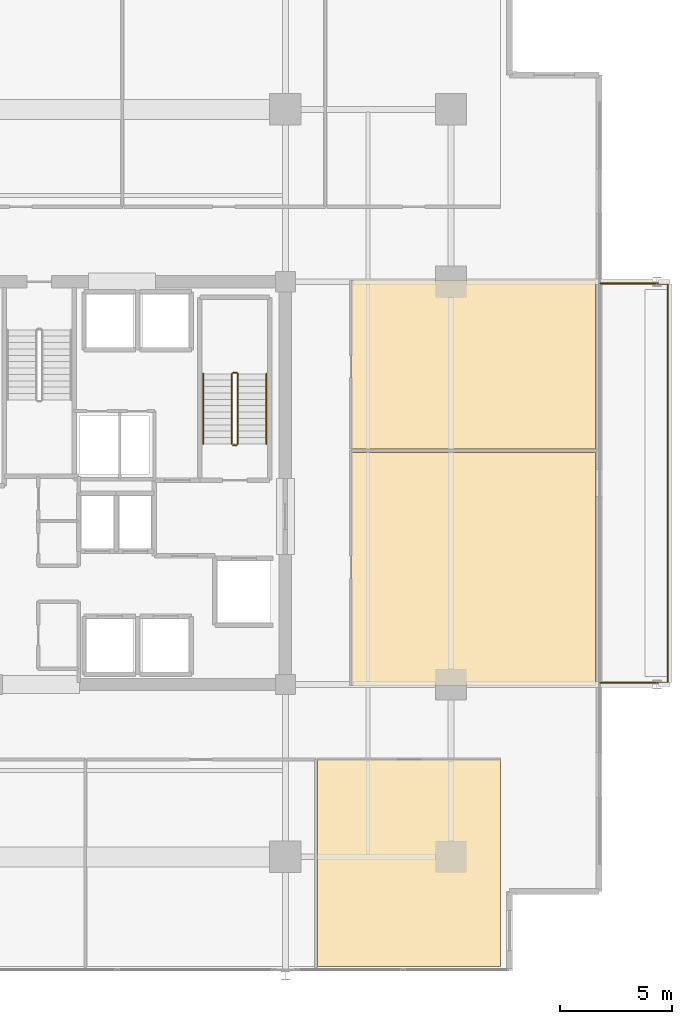
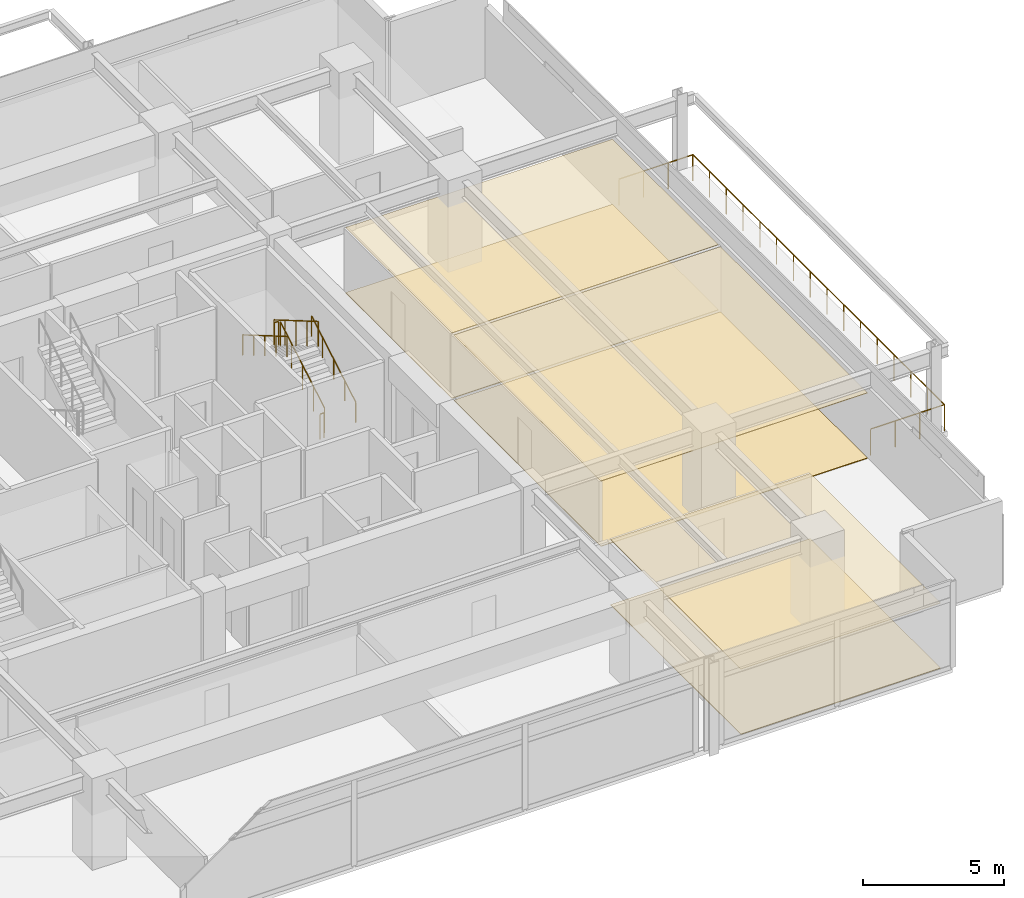
# One storey, part 20 of 21: 7 railings, 6 coverings.
"""IFC4 building model written with IfcOpenShell, lengths in metres."""

from ifc_helpers import new_model, si_unit, direction, frame, origin, origin_2d, place, context, subcontext, project, spatial, polyline, circle, outline, extrude, material, layer, layer_set, type_object, element, save


model = new_model("IFC4")

# Units and contexts
model_context = context("Model", 3, precision=1e-05, world=origin(), true_north=direction((0.0, 1.0)))
body_context = subcontext(model_context, "Body", "Model", "MODEL_VIEW")
ifc_project = project(units=[si_unit("LENGTHUNIT", "METRE"), si_unit("AREAUNIT", "SQUARE_METRE"), si_unit("VOLUMEUNIT", "CUBIC_METRE"), si_unit("PLANEANGLEUNIT", "RADIAN"), si_unit("MASSUNIT", "GRAM", prefix="KILO")], contexts=[model_context])

# Site, building, storey
site_placement = place(None, origin())
site = spatial("IfcSite", under=ifc_project, at=site_placement, CompositionType="ELEMENT")
building_placement = place(site_placement, origin())
building = spatial("IfcBuilding", under=site, at=building_placement, Name="Kovane Verandah Tower", CompositionType="ELEMENT")
storey_placement = place(building_placement, frame((0.0, 0.0, 209.199951171875)))
storey = spatial("IfcBuildingStorey", under=building, at=storey_placement, Name="L48", CompositionType="ELEMENT", Elevation=209.199951171875)

# Coverings
ifc_material_1 = material(Name="Perforated Acoustic Mineral-Fibre Ceiling Tile", Category="gypsum")
ifc_layer_1 = layer(ifc_material_1, 0.02490234375)
ifc_layer_set_1 = layer_set([ifc_layer_1], Name="Perforated Acoustic Mineral-Fibre Ceiling Tile")
covering_type_1 = type_object("IfcCoveringType", Name="CV-CEIL-25", PredefinedType="CEILING", material=ifc_layer_set_1)
covering_1_placement = place(storey_placement, frame((0.0, 0.0, 2.824951171875)))
element("IfcCovering", 1, at=covering_1_placement, inside=storey, type_object=covering_type_1, Name="L48 Executive Office S4 Acoustic Ceiling", PredefinedType="CEILING", context=body_context, shape_type="SweptSolid", body=[
    extrude(outline(polyline([(52.440673828125, 5.908447265625), (60.617919921875, 5.908447265625), (60.617919921875, 15.14990234375), (52.440673828125, 15.14990234375), (52.440673828125, 5.908447265625)])), origin(), (0.0, 0.0, 1.0), 0.025146484375),
])
covering_2_placement = place(storey_placement, frame((0.0, 0.0, 2.824951171875)))
element("IfcCovering", 2, at=covering_2_placement, inside=storey, type_object=covering_type_1, Name="L48 Focus Studio E1 Acoustic Ceiling", PredefinedType="CEILING", context=body_context, shape_type="SweptSolid", body=[
    extrude(outline(polyline([(53.949951171875, 18.449951171875), (64.867919921875, 18.449951171875), (64.867919921875, 28.8779296875), (53.949951171875, 28.8779296875), (53.949951171875, 18.449951171875)])), origin(), (0.0, 0.0, 1.0), 0.025146484375),
])
covering_3_placement = place(storey_placement, frame((0.0, 0.0, 2.824951171875)))
element("IfcCovering", 3, at=covering_3_placement, inside=storey, type_object=covering_type_1, Name="L48 Breakout Pantry E2 Acoustic Ceiling", PredefinedType="CEILING", context=body_context, shape_type="SweptSolid", body=[
    extrude(outline(polyline([(53.949951171875, 29.01806640625), (64.867919921875, 29.01806640625), (64.867919921875, 36.550048828125), (53.949951171875, 36.550048828125), (53.949951171875, 29.01806640625)])), origin(), (0.0, 0.0, 1.0), 0.025146484375),
])
ifc_material_2 = material(Name="Polished Terrazzo and Raised-Access Carpet Tile Finish", Category="concrete")
ifc_layer_2 = layer(ifc_material_2, 0.030029296875)
ifc_layer_set_2 = layer_set([ifc_layer_2], Name="Polished Terrazzo and Raised-Access Carpet Tile Finish")
covering_type_2 = type_object("IfcCoveringType", Name="CV-FLOR-30", PredefinedType="FLOORING", material=ifc_layer_set_2)
covering_4_placement = place(storey_placement, origin())
element("IfcCovering", 4, at=covering_4_placement, inside=storey, type_object=covering_type_2, Name="L48 Executive Office S4 Floor Finish", PredefinedType="FLOORING", context=body_context, shape_type="SweptSolid", body=[
    extrude(outline(polyline([(52.440673828125, 5.908447265625), (60.617919921875, 5.908447265625), (60.617919921875, 15.14990234375), (52.440673828125, 15.14990234375), (52.440673828125, 5.908447265625)])), origin(), (0.0, 0.0, 1.0), 0.030029296875),
])
covering_5_placement = place(storey_placement, origin())
element("IfcCovering", 5, at=covering_5_placement, inside=storey, type_object=covering_type_2, Name="L48 Focus Studio E1 Floor Finish", PredefinedType="FLOORING", context=body_context, shape_type="SweptSolid", body=[
    extrude(outline(polyline([(53.949951171875, 18.449951171875), (64.867919921875, 18.449951171875), (64.867919921875, 28.8779296875), (53.949951171875, 28.8779296875), (53.949951171875, 18.449951171875)])), origin(), (0.0, 0.0, 1.0), 0.030029296875),
])
covering_6_placement = place(storey_placement, origin())
element("IfcCovering", 6, at=covering_6_placement, inside=storey, type_object=covering_type_2, Name="L48 Breakout Pantry E2 Floor Finish", PredefinedType="FLOORING", context=body_context, shape_type="SweptSolid", body=[
    extrude(outline(polyline([(53.949951171875, 29.01806640625), (64.867919921875, 29.01806640625), (64.867919921875, 36.550048828125), (53.949951171875, 36.550048828125), (53.949951171875, 29.01806640625)])), origin(), (0.0, 0.0, 1.0), 0.030029296875),
])

# Railings
ifc_material_3 = material(Name="Laminated Glass and Pale-Champagne Stainless Balustrade", Category="glass")
railing_type_1 = type_object("IfcRailingType", Name="RL-BAL-1150", PredefinedType="BALUSTRADE", material=ifc_material_3)
railing_1_placement = place(storey_placement, frame((65.06787109375, 18.580078125, 0.0)))
element("IfcRailing", 7, at=railing_1_placement, inside=storey, type_object=railing_type_1, Name="L48 E Verandah Glass Balustrade", PredefinedType="BALUSTRADE", context=body_context, shape_type="SweptSolid", body=[
    extrude(circle(Radius=0.02392578125, at=origin_2d()), frame((0.0, 0.0, 1.1259765625), z_axis=(1.0, 0.0, 0.0), x_axis=(0.0, 1.0, 0.0)), (0.0, 0.0, 1.0), 3.02001953125),
    extrude(circle(Radius=0.02392578125, at=origin_2d()), frame((3.02001953125, 0.0, 1.1259765625), z_axis=(0.0, 1.0, 0.0), x_axis=(-1.0, 0.0, 0.0)), (0.0, 0.0, 1.0), 17.83984375),
    extrude(circle(Radius=0.02392578125, at=origin_2d()), frame((3.02001953125, 17.83984375, 1.1259765625), z_axis=(-1.0, 0.0, 0.0), x_axis=(0.0, -1.0, 0.0)), (0.0, 0.0, 1.0), 3.02001953125),
    extrude(circle(Radius=0.02099609375, at=origin_2d()), origin(), (0.0, 0.0, 1.0), 1.101806640625),
    extrude(circle(Radius=0.02099609375, at=origin_2d()), frame((1.006591796875, 0.0, 0.0)), (0.0, 0.0, 1.0), 1.101806640625),
    extrude(circle(Radius=0.02099609375, at=origin_2d()), frame((2.013427734375, 0.0, 0.0)), (0.0, 0.0, 1.0), 1.101806640625),
    extrude(circle(Radius=0.02099609375, at=origin_2d()), frame((3.02001953125, 0.0, 0.0)), (0.0, 0.0, 1.0), 1.101806640625),
    extrude(circle(Radius=0.02099609375, at=origin_2d()), frame((3.02001953125, 1.189208984375, 0.0)), (0.0, 0.0, 1.0), 1.101806640625),
    extrude(circle(Radius=0.02099609375, at=origin_2d()), frame((3.02001953125, 2.378662109375, 0.0)), (0.0, 0.0, 1.0), 1.101806640625),
    extrude(circle(Radius=0.02099609375, at=origin_2d()), frame((3.02001953125, 3.56787109375, 0.0)), (0.0, 0.0, 1.0), 1.101806640625),
    extrude(circle(Radius=0.02099609375, at=origin_2d()), frame((3.02001953125, 4.75732421875, 0.0)), (0.0, 0.0, 1.0), 1.101806640625),
    extrude(circle(Radius=0.02099609375, at=origin_2d()), frame((3.02001953125, 5.946533203125, 0.0)), (0.0, 0.0, 1.0), 1.101806640625),
    extrude(circle(Radius=0.02099609375, at=origin_2d()), frame((3.02001953125, 7.135986328125, 0.0)), (0.0, 0.0, 1.0), 1.101806640625),
    extrude(circle(Radius=0.02099609375, at=origin_2d()), frame((3.02001953125, 8.3251953125, 0.0)), (0.0, 0.0, 1.0), 1.101806640625),
    extrude(circle(Radius=0.02099609375, at=origin_2d()), frame((3.02001953125, 9.5146484375, 0.0)), (0.0, 0.0, 1.0), 1.101806640625),
    extrude(circle(Radius=0.02099609375, at=origin_2d()), frame((3.02001953125, 10.703857421875, 0.0)), (0.0, 0.0, 1.0), 1.101806640625),
    extrude(circle(Radius=0.02099609375, at=origin_2d()), frame((3.02001953125, 11.893310546875, 0.0)), (0.0, 0.0, 1.0), 1.101806640625),
    extrude(circle(Radius=0.02099609375, at=origin_2d()), frame((3.02001953125, 13.08251953125, 0.0)), (0.0, 0.0, 1.0), 1.101806640625),
    extrude(circle(Radius=0.02099609375, at=origin_2d()), frame((3.02001953125, 14.27197265625, 0.0)), (0.0, 0.0, 1.0), 1.101806640625),
    extrude(circle(Radius=0.02099609375, at=origin_2d()), frame((3.02001953125, 15.461181640625, 0.0)), (0.0, 0.0, 1.0), 1.101806640625),
    extrude(circle(Radius=0.02099609375, at=origin_2d()), frame((3.02001953125, 16.650634765625, 0.0)), (0.0, 0.0, 1.0), 1.101806640625),
    extrude(circle(Radius=0.02099609375, at=origin_2d()), frame((3.02001953125, 17.83984375, 0.0)), (0.0, 0.0, 1.0), 1.101806640625),
    extrude(circle(Radius=0.02099609375, at=origin_2d()), frame((2.013427734375, 17.83984375, 0.0)), (0.0, 0.0, 1.0), 1.101806640625),
    extrude(circle(Radius=0.02099609375, at=origin_2d()), frame((1.006591796875, 17.83984375, 0.0)), (0.0, 0.0, 1.0), 1.101806640625),
    extrude(circle(Radius=0.02099609375, at=origin_2d()), frame((0.0, 17.83984375, 0.0)), (0.0, 0.0, 1.0), 1.101806640625),
])
ifc_material_4 = material(Name="Brushed Stainless Steel Handrail", Category="steel")
railing_type_2 = type_object("IfcRailingType", Name="RL-HAND-920", PredefinedType="HANDRAIL", material=ifc_material_4)
railing_2_placement = place(storey_placement, frame((50.14990234375, 29.25, 0.166748046875)))
element("IfcRailing", 8, at=railing_2_placement, inside=storey, type_object=railing_type_2, Name="L48 ST-02 stair handrail 1", PredefinedType="HANDRAIL", context=body_context, shape_type="SweptSolid", body=[
    extrude(circle(Radius=0.02392578125, at=origin_2d()), frame((0.0, 0.0, 0.8759765625), z_axis=(0.0, 0.863239559939, 0.504794475164), x_axis=(-1.0, 0.0, 0.0)), (0.0, 0.0, 1.0), 3.631591796875),
    extrude(circle(Radius=0.02099609375, at=origin_2d()), origin(), (0.0, 0.0, 1.0), 0.851806640625),
    extrude(circle(Radius=0.02099609375, at=origin_2d()), frame((0.0, 0.78369140625, 0.458251953125)), (0.0, 0.0, 1.0), 0.851806640625),
    extrude(circle(Radius=0.02099609375, at=origin_2d()), frame((0.0, 1.5673828125, 0.91650390625)), (0.0, 0.0, 1.0), 0.851806640625),
    extrude(circle(Radius=0.02099609375, at=origin_2d()), frame((0.0, 2.351318359375, 1.375)), (0.0, 0.0, 1.0), 0.851806640625),
    extrude(circle(Radius=0.02099609375, at=origin_2d()), frame((0.0, 3.135009765625, 1.833251953125)), (0.0, 0.0, 1.0), 0.851806640625),
])
railing_3_placement = place(storey_placement, frame((47.330078125, 32.385009765625, 2.166748046875)))
element("IfcRailing", 9, at=railing_3_placement, inside=storey, type_object=railing_type_2, Name="L48 ST-02 stair handrail 2", PredefinedType="HANDRAIL", context=body_context, shape_type="SweptSolid", body=[
    extrude(circle(Radius=0.02392578125, at=origin_2d()), frame((0.0, 0.0, 0.8759765625), z_axis=(0.0, -0.863239559939, 0.504794475164), x_axis=(1.0, 0.0, 0.0)), (0.0, 0.0, 1.0), 3.631591796875),
    extrude(circle(Radius=0.02099609375, at=origin_2d()), origin(), (0.0, 0.0, 1.0), 0.851806640625),
    extrude(circle(Radius=0.02099609375, at=origin_2d()), frame((0.0, -0.78369140625, 0.458251953125)), (0.0, 0.0, 1.0), 0.851806640625),
    extrude(circle(Radius=0.02099609375, at=origin_2d()), frame((0.0, -1.5673828125, 0.91650390625)), (0.0, 0.0, 1.0), 0.851806640625),
    extrude(circle(Radius=0.02099609375, at=origin_2d()), frame((0.0, -2.351318359375, 1.375)), (0.0, 0.0, 1.0), 0.851806640625),
    extrude(circle(Radius=0.02099609375, at=origin_2d()), frame((0.0, -3.135009765625, 1.833251953125)), (0.0, 0.0, 1.0), 0.851806640625),
])
ifc_material_5 = material(Name="Painted Steel Stairwell Guardrail", Category="steel")
railing_type_3 = type_object("IfcRailingType", Name="RL-STGUARD-1120", PredefinedType="GUARDRAIL", material=ifc_material_5)
railing_4_placement = place(storey_placement, frame((48.8701171875, 29.25, 0.166748046875)))
element("IfcRailing", 10, at=railing_4_placement, inside=storey, type_object=railing_type_3, Name="L48 ST-02 stair guard 1", PredefinedType="GUARDRAIL", context=body_context, shape_type="SweptSolid", body=[
    extrude(circle(Radius=0.02392578125, at=origin_2d()), frame((0.0, 0.0, 1.076171875), z_axis=(0.0, 0.863239559939, 0.504794475164), x_axis=(-1.0, 0.0, 0.0)), (0.0, 0.0, 1.0), 3.631591796875),
    extrude(circle(Radius=0.02099609375, at=origin_2d()), origin(), (0.0, 0.0, 1.0), 1.052001953125),
    extrude(circle(Radius=0.02099609375, at=origin_2d()), frame((0.0, 0.78369140625, 0.458251953125)), (0.0, 0.0, 1.0), 1.052001953125),
    extrude(circle(Radius=0.02099609375, at=origin_2d()), frame((0.0, 1.5673828125, 0.91650390625)), (0.0, 0.0, 1.0), 1.052001953125),
    extrude(circle(Radius=0.02099609375, at=origin_2d()), frame((0.0, 2.351318359375, 1.375)), (0.0, 0.0, 1.0), 1.052001953125),
    extrude(circle(Radius=0.02099609375, at=origin_2d()), frame((0.0, 3.135009765625, 1.833251953125)), (0.0, 0.0, 1.0), 1.052001953125),
])
railing_5_placement = place(storey_placement, frame((48.820068359375, 32.43505859375, 2.0)))
element("IfcRailing", 11, at=railing_5_placement, inside=storey, type_object=railing_type_3, Name="L48 ST-02 stair guard 2", PredefinedType="GUARDRAIL", context=body_context, shape_type="SweptSolid", body=[
    extrude(circle(Radius=0.02392578125, at=origin_2d()), frame((0.0, 0.0, 1.076171875), z_axis=(-1.0, 0.0, 0.0), x_axis=(0.0, -1.0, 0.0)), (0.0, 0.0, 1.0), 0.16015625),
    extrude(circle(Radius=0.02099609375, at=origin_2d()), origin(), (0.0, 0.0, 1.0), 1.052001953125),
    extrude(circle(Radius=0.02099609375, at=origin_2d()), frame((-0.16015625, 0.0, 0.0)), (0.0, 0.0, 1.0), 1.052001953125),
])
railing_6_placement = place(storey_placement, frame((48.610107421875, 32.385009765625, 2.166748046875)))
element("IfcRailing", 12, at=railing_6_placement, inside=storey, type_object=railing_type_3, Name="L48 ST-02 stair guard 3", PredefinedType="GUARDRAIL", context=body_context, shape_type="SweptSolid", body=[
    extrude(circle(Radius=0.02392578125, at=origin_2d()), frame((0.0, 0.0, 1.076171875), z_axis=(0.0, -0.863239559939, 0.504794475164), x_axis=(1.0, 0.0, 0.0)), (0.0, 0.0, 1.0), 3.631591796875),
    extrude(circle(Radius=0.02099609375, at=origin_2d()), origin(), (0.0, 0.0, 1.0), 1.052001953125),
    extrude(circle(Radius=0.02099609375, at=origin_2d()), frame((0.0, -0.78369140625, 0.458251953125)), (0.0, 0.0, 1.0), 1.052001953125),
    extrude(circle(Radius=0.02099609375, at=origin_2d()), frame((0.0, -1.5673828125, 0.91650390625)), (0.0, 0.0, 1.0), 1.052001953125),
    extrude(circle(Radius=0.02099609375, at=origin_2d()), frame((0.0, -2.351318359375, 1.375)), (0.0, 0.0, 1.0), 1.052001953125),
    extrude(circle(Radius=0.02099609375, at=origin_2d()), frame((0.0, -3.135009765625, 1.833251953125)), (0.0, 0.0, 1.0), 1.052001953125),
])
railing_7_placement = place(storey_placement, frame((48.820068359375, 29.199951171875, 0.0)))
element("IfcRailing", 13, at=railing_7_placement, inside=storey, type_object=railing_type_3, Name="L48 ST-02 stair guard 4", PredefinedType="GUARDRAIL", context=body_context, shape_type="SweptSolid", body=[
    extrude(circle(Radius=0.02392578125, at=origin_2d()), frame((0.0, 0.0, 1.076171875), z_axis=(-1.0, 0.0, 0.0), x_axis=(0.0, -1.0, 0.0)), (0.0, 0.0, 1.0), 0.16015625),
    extrude(circle(Radius=0.02099609375, at=origin_2d()), origin(), (0.0, 0.0, 1.0), 1.052001953125),
    extrude(circle(Radius=0.02099609375, at=origin_2d()), frame((-0.16015625, 0.0, 0.0)), (0.0, 0.0, 1.0), 1.052001953125),
])

save(model, "model.ifc")
